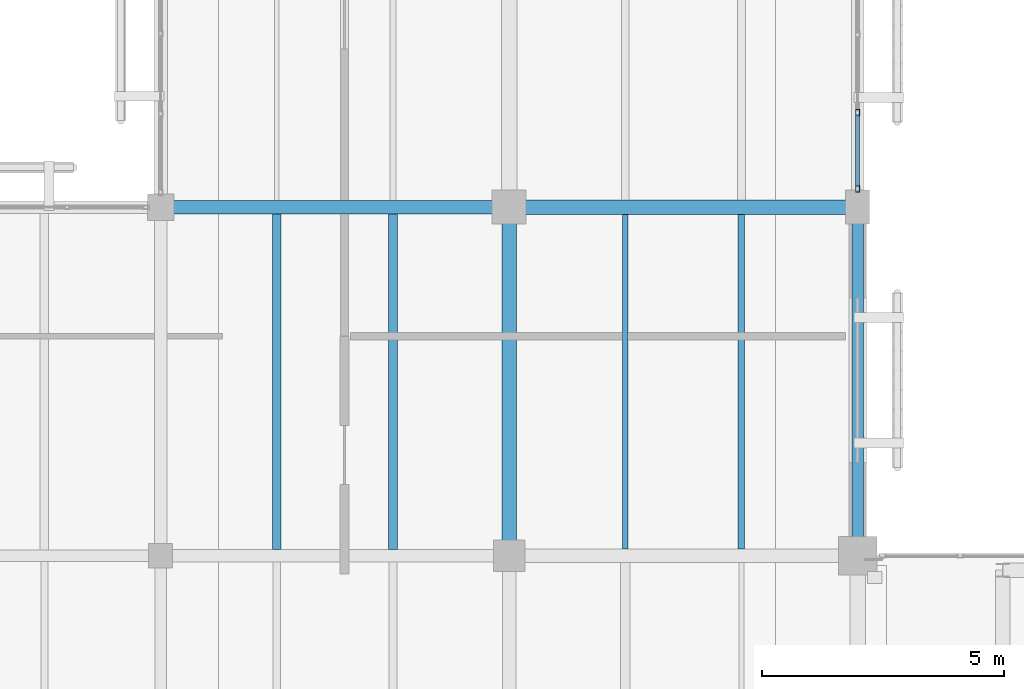
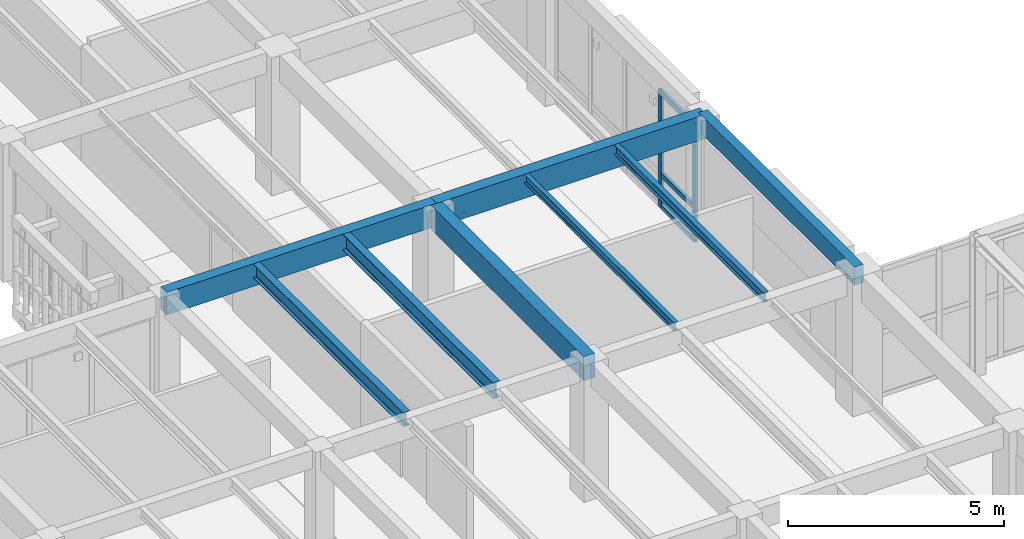
# One storey, part 38 of 170: 8 beams, 5 members, 1 element without a shape of its own.
"""IFC4 building model written with IfcOpenShell, lengths in metres."""

from ifc_helpers import new_model, si_unit, direction, frame, origin, origin_2d, place, context, subcontext, project, spatial, rectangle, hollow_rectangle, i_section, extrude, material, layer, layer_set, material_profile, profile_set, type_object, element, aggregate, save


model = new_model("IFC4")

# Units and contexts
model_context = context("Model", 3, precision=1e-05, world=origin(), true_north=direction((0.0, 1.0)))
body_context = subcontext(model_context, "Body", "Model", "MODEL_VIEW")
ifc_project = project(units=[si_unit("LENGTHUNIT", "METRE"), si_unit("AREAUNIT", "SQUARE_METRE"), si_unit("VOLUMEUNIT", "CUBIC_METRE"), si_unit("PLANEANGLEUNIT", "RADIAN"), si_unit("MASSUNIT", "GRAM", prefix="KILO")], contexts=[model_context])

# Site, building, storey
site_placement = place(None, origin())
site = spatial("IfcSite", under=ifc_project, at=site_placement, CompositionType="ELEMENT")
building_placement = place(site_placement, origin())
building = spatial("IfcBuilding", under=site, at=building_placement, Name="Mazaris Harbour Polytechnic", CompositionType="ELEMENT")
storey_placement = place(building_placement, frame((0.0, 0.0, 5.39990234375)))
storey = spatial("IfcBuildingStorey", under=building, at=storey_placement, Name="L01", CompositionType="ELEMENT", Elevation=5.39990234375)

# Curtain wall, members
ifc_material_1 = material(Name="Anodised Bronze Aluminium and Low-E Glass", Category="aluminium")
ifc_layer = layer(ifc_material_1, 0.159912109375, Name="Anodised Bronze Aluminium and Low-E Glass")
ifc_layer_set = layer_set([ifc_layer], Name="Anodised Bronze Aluminium and Low-E Glass")
curtain_wall_type = type_object("IfcCurtainWallType", Name="Cloister Court Curtain Wall", PredefinedType="NOTDEFINED", material=ifc_layer_set)
curtain_wall_placement = place(storey_placement, origin())
curtain_wall = element("IfcCurtainWall", 1, at=curtain_wall_placement, inside=storey, type_object=curtain_wall_type, Name="V4 L01 Curtain Wall 112", PredefinedType="NOTDEFINED")
ifc_material_2 = material(Name="Anodised Bronze Steel S355", Category="steel")
ifc_material_profile_1 = material_profile(ifc_material_2, hollow_rectangle(XDim=0.080078125, YDim=0.139892578125, WallThickness=0.00634765625, at=origin_2d()), Name="RHS 80x140x6.3")
ifc_profile_set_1 = profile_set([ifc_material_profile_1], Name="Anodised Bronze Steel S355")
member_type_1 = type_object("IfcMemberType", Name="Curtain Mullion RHS80x140", PredefinedType="MULLION", material=ifc_profile_set_1)
member_1_placement = place(storey_placement, frame((43.199951171875, 37.9521484375, 0.0), z_axis=(0.0, 0.0, 1.0), x_axis=(1.0, 0.0, 0.0)))
member_1 = element("IfcMember", 2, at=member_1_placement, type_object=member_type_1, Name="CW-02 mullion 4", PredefinedType="MULLION", context=body_context, shape_type="SweptSolid", body=[
    extrude(hollow_rectangle(XDim=0.080078125, YDim=0.139892578125, WallThickness=0.00634765625, at=origin_2d()), origin(), (0.0, 0.0, 1.0), 3.300048828125),
])
member_2_placement = place(storey_placement, frame((43.199951171875, 36.382080078125, 0.0), z_axis=(0.0, 0.0, 1.0), x_axis=(1.0, 0.0, 0.0)))
member_2 = element("IfcMember", 3, at=member_2_placement, type_object=member_type_1, Name="CW-02 mullion 5", PredefinedType="MULLION", context=body_context, shape_type="SweptSolid", body=[
    extrude(hollow_rectangle(XDim=0.080078125, YDim=0.139892578125, WallThickness=0.00634765625, at=origin_2d()), origin(), (0.0, 0.0, 1.0), 3.300048828125),
])
ifc_material_3 = material(Name="Anodised Bronze Steel S355", Category="steel")
ifc_material_profile_2 = material_profile(ifc_material_3, hollow_rectangle(XDim=0.080078125, YDim=0.139892578125, WallThickness=0.00634765625, at=origin_2d()), Name="RHS 80x140x6.3")
ifc_profile_set_2 = profile_set([ifc_material_profile_2], Name="Anodised Bronze Steel S355")
member_type_2 = type_object("IfcMemberType", Name="Curtain Transom RHS80x140", PredefinedType="USERDEFINED", material=ifc_profile_set_2)
member_3_placement = place(storey_placement, frame((43.199951171875, 37.912353515625, 0.0400390625), z_axis=(0.0, -1.0, 0.0), x_axis=(1.0, 0.0, 0.0)))
member_3 = element("IfcMember", 4, at=member_3_placement, type_object=member_type_2, Name="CW-02 transom 4.1", ObjectType="TRANSOM", PredefinedType="USERDEFINED", context=body_context, shape_type="SweptSolid", body=[
    extrude(hollow_rectangle(XDim=0.080078125, YDim=0.139892578125, WallThickness=0.00634765625, at=origin_2d()), origin(), (0.0, 0.0, 1.0), 1.490234375),
])
member_4_placement = place(storey_placement, frame((43.199951171875, 37.912353515625, 0.9501953125), z_axis=(0.0, -1.0, 0.0), x_axis=(1.0, 0.0, 0.0)))
member_4 = element("IfcMember", 5, at=member_4_placement, type_object=member_type_2, Name="CW-02 transom 4.2", ObjectType="TRANSOM", PredefinedType="USERDEFINED", context=body_context, shape_type="SweptSolid", body=[
    extrude(hollow_rectangle(XDim=0.080078125, YDim=0.139892578125, WallThickness=0.00634765625, at=origin_2d()), origin(), (0.0, 0.0, 1.0), 1.490234375),
])
member_5_placement = place(storey_placement, frame((43.199951171875, 37.912353515625, 3.260009765625), z_axis=(0.0, -1.0, 0.0), x_axis=(1.0, 0.0, 0.0)))
member_5 = element("IfcMember", 6, at=member_5_placement, type_object=member_type_2, Name="CW-02 transom 4.3", ObjectType="TRANSOM", PredefinedType="USERDEFINED", context=body_context, shape_type="SweptSolid", body=[
    extrude(hollow_rectangle(XDim=0.080078125, YDim=0.139892578125, WallThickness=0.00634765625, at=origin_2d()), origin(), (0.0, 0.0, 1.0), 1.490234375),
])
aggregate(curtain_wall, [member_1, member_2, member_3, member_4, member_5])

# Beams
ifc_material_4 = material(Name="Glulam GL32h", Category="wood")
ifc_material_profile_3 = material_profile(ifc_material_4, rectangle(XDim=0.239990234375, YDim=0.52001953125, at=origin_2d()), Name="RECT240x520")
ifc_profile_set_3 = profile_set([ifc_material_profile_3], Name="Glulam GL32h")
beam_type_1 = type_object("IfcBeamType", Name="Glulam Girder 240x520 Exterior", PredefinedType="BEAM", material=ifc_profile_set_3)
beam_1_placement = place(storey_placement, frame((43.199951171875, 28.800048828125, 3.630126953125), z_axis=(0.0, 1.0, 0.0), x_axis=(-1.0, 0.0, 0.0)))
element("IfcBeam", 7, at=beam_1_placement, inside=storey, type_object=beam_type_1, Name="V4 L01 Tie Girder 1765", PredefinedType="BEAM", context=body_context, shape_type="SweptSolid", body=[
    extrude(rectangle(XDim=0.239990234375, YDim=0.52001953125, at=origin_2d()), origin(), (0.0, 0.0, 1.0), 7.199951171875),
])
ifc_material_5 = material(Name="Glulam GL32h", Category="wood")
ifc_material_profile_4 = material_profile(ifc_material_5, rectangle(XDim=0.280029296875, YDim=0.639892578125, at=origin_2d()), Name="RECT280x640")
ifc_profile_set_4 = profile_set([ifc_material_profile_4], Name="Glulam GL32h")
beam_type_2 = type_object("IfcBeamType", Name="Glulam Girder 280x640", PredefinedType="BEAM", material=ifc_profile_set_4)
beam_2_placement = place(storey_placement, frame((28.800048828125, 36.0, 3.570068359375), z_axis=(1.0, 0.0, 0.0), x_axis=(0.0, 1.0, 0.0)))
element("IfcBeam", 8, at=beam_2_placement, inside=storey, type_object=beam_type_2, Name="V4 L01 Girder 1652", PredefinedType="BEAM", context=body_context, shape_type="SweptSolid", body=[
    extrude(rectangle(XDim=0.280029296875, YDim=0.639892578125, at=origin_2d()), origin(), (0.0, 0.0, 1.0), 7.199951171875),
])
ifc_material_6 = material(Name="Glulam GL32h", Category="wood")
ifc_material_profile_5 = material_profile(ifc_material_6, rectangle(XDim=0.300048828125, YDim=0.679931640625, at=origin_2d()), Name="RECT300x680")
ifc_profile_set_5 = profile_set([ifc_material_profile_5], Name="Glulam GL32h")
beam_type_3 = type_object("IfcBeamType", Name="Glulam Girder 300x680", PredefinedType="BEAM", material=ifc_profile_set_5)
for number, where, z_axis, x_axis, name in (
    (9, (36.0, 36.0, 3.550048828125), (1.0, 0.0, 0.0), (0.0, 1.0, 0.0), "V4 L01 Girder 1653"),
    (10, (36.0, 28.800048828125, 3.550048828125), (0.0, 1.0, 0.0), (-1.0, 0.0, 0.0), "V4 L01 Tie Girder 1753"),
):
    element("IfcBeam", number, at=place(storey_placement, frame(where, z_axis=z_axis, x_axis=x_axis)), inside=storey, type_object=beam_type_3, Name=name, PredefinedType="BEAM", context=body_context, shape_type="SweptSolid", body=[
        extrude(rectangle(XDim=0.300048828125, YDim=0.679931640625, at=origin_2d()), origin(), (0.0, 0.0, 1.0), 7.199951171875),
    ])
ifc_material_7 = material(Name="Steel S355", Category="steel")
ifc_material_profile_6 = material_profile(ifc_material_7, i_section(OverallWidth=0.1201171875, OverallDepth=0.239990234375, WebThickness=0.006103515625, FlangeThickness=0.009765625, FilletRadius=0.014892578125, at=origin_2d()), Name="IPE 240")
ifc_profile_set_6 = profile_set([ifc_material_profile_6], Name="Steel S355")
beam_type_4 = type_object("IfcBeamType", Name="Steel Joist IPE240", PredefinedType="JOIST", material=ifc_profile_set_6)
beam_3_placement = place(storey_placement, frame((38.39990234375, 28.93994140625, 3.77001953125), z_axis=(0.0, 1.0, 0.0), x_axis=(-1.0, 0.0, 0.0)))
element("IfcBeam", 11, at=beam_3_placement, inside=storey, type_object=beam_type_4, Name="V4 L01 Floor Joist 1877", PredefinedType="JOIST", context=body_context, shape_type="SweptSolid", body=[
    extrude(i_section(OverallWidth=0.1201171875, OverallDepth=0.239990234375, WebThickness=0.006103515625, FlangeThickness=0.009765625, FilletRadius=0.014892578125, at=origin_2d()), origin(), (0.0, 0.0, 1.0), 6.91015625),
])
ifc_material_8 = material(Name="Steel S355", Category="steel")
ifc_material_profile_7 = material_profile(ifc_material_8, i_section(OverallWidth=0.135009765625, OverallDepth=0.27001953125, WebThickness=0.006591796875, FlangeThickness=0.01025390625, FilletRadius=0.014892578125, at=origin_2d()), Name="IPE 270")
ifc_profile_set_7 = profile_set([ifc_material_profile_7], Name="Steel S355")
beam_type_5 = type_object("IfcBeamType", Name="Steel Joist IPE270", PredefinedType="JOIST", material=ifc_profile_set_7)
beam_4_placement = place(storey_placement, frame((40.800048828125, 28.93994140625, 3.755126953125), z_axis=(0.0, 1.0, 0.0), x_axis=(-1.0, 0.0, 0.0)))
element("IfcBeam", 12, at=beam_4_placement, inside=storey, type_object=beam_type_5, Name="V4 L01 Floor Joist 1878", PredefinedType="JOIST", context=body_context, shape_type="SweptSolid", body=[
    extrude(i_section(OverallWidth=0.135009765625, OverallDepth=0.27001953125, WebThickness=0.006591796875, FlangeThickness=0.01025390625, FilletRadius=0.014892578125, at=origin_2d()), origin(), (0.0, 0.0, 1.0), 6.91015625),
])
ifc_material_9 = material(Name="Steel S355", Category="steel")
ifc_material_profile_8 = material_profile(ifc_material_9, i_section(OverallWidth=0.179931640625, OverallDepth=0.39990234375, WebThickness=0.008544921875, FlangeThickness=0.013427734375, FilletRadius=0.02099609375, at=origin_2d()), Name="IPE 400")
ifc_profile_set_8 = profile_set([ifc_material_profile_8], Name="Steel S355")
beam_type_6 = type_object("IfcBeamType", Name="Steel Joist IPE400", PredefinedType="JOIST", material=ifc_profile_set_8)
beam_5_placement = place(storey_placement, frame((31.199951171875, 28.929931640625, 3.690185546875), z_axis=(0.0, 1.0, 0.0), x_axis=(-1.0, 0.0, 0.0)))
element("IfcBeam", 13, at=beam_5_placement, inside=storey, type_object=beam_type_6, Name="V4 L01 Floor Joist 1853", PredefinedType="JOIST", context=body_context, shape_type="SweptSolid", body=[
    extrude(i_section(OverallWidth=0.179931640625, OverallDepth=0.39990234375, WebThickness=0.008544921875, FlangeThickness=0.013427734375, FilletRadius=0.02099609375, at=origin_2d()), origin(), (0.0, 0.0, 1.0), 6.93017578125),
])
ifc_material_10 = material(Name="Steel S355", Category="steel")
ifc_material_profile_9 = material_profile(ifc_material_10, i_section(OverallWidth=0.18994140625, OverallDepth=0.449951171875, WebThickness=0.009521484375, FlangeThickness=0.0146484375, FilletRadius=0.02099609375, at=origin_2d()), Name="IPE 450")
ifc_profile_set_9 = profile_set([ifc_material_profile_9], Name="Steel S355")
beam_type_7 = type_object("IfcBeamType", Name="Steel Joist IPE450", PredefinedType="JOIST", material=ifc_profile_set_9)
beam_6_placement = place(storey_placement, frame((33.60009765625, 28.929931640625, 3.6650390625), z_axis=(0.0, 1.0, 0.0), x_axis=(-1.0, 0.0, 0.0)))
element("IfcBeam", 14, at=beam_6_placement, inside=storey, type_object=beam_type_7, Name="V4 L01 Floor Joist 1854", PredefinedType="JOIST", context=body_context, shape_type="SweptSolid", body=[
    extrude(i_section(OverallWidth=0.18994140625, OverallDepth=0.449951171875, WebThickness=0.009521484375, FlangeThickness=0.0146484375, FilletRadius=0.02099609375, at=origin_2d()), origin(), (0.0, 0.0, 1.0), 6.93017578125),
])

save(model, "model.ifc")
